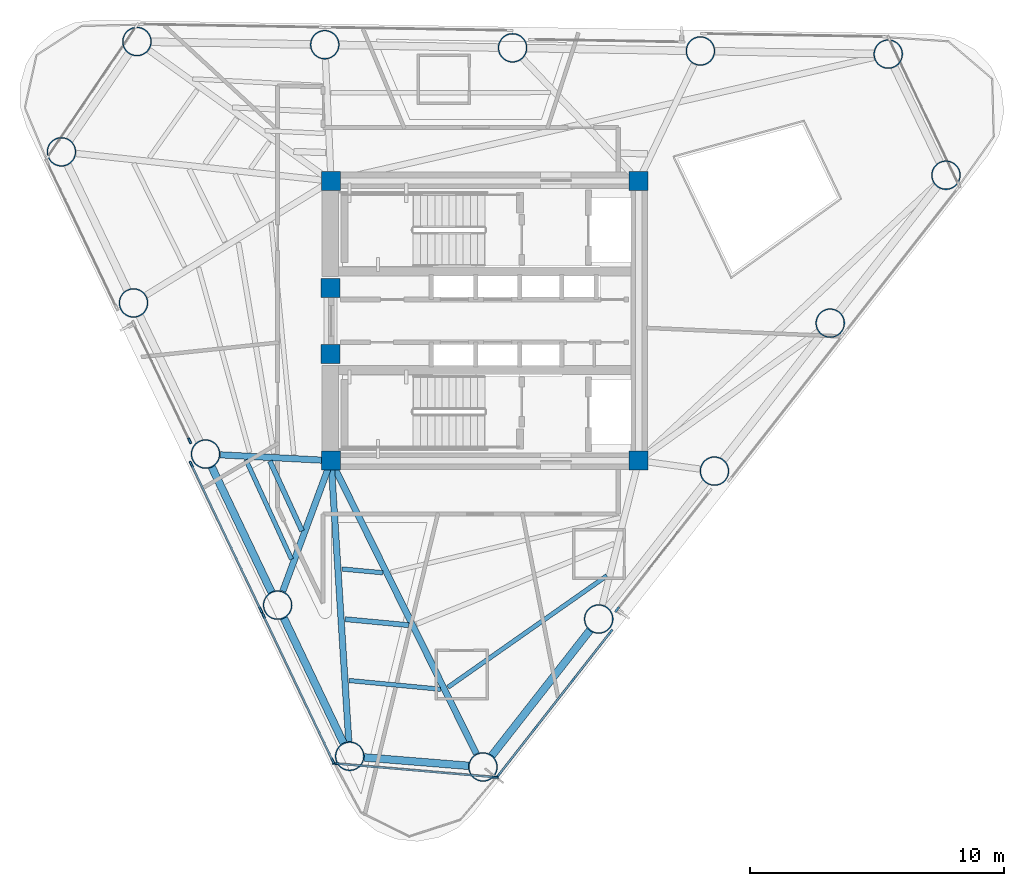
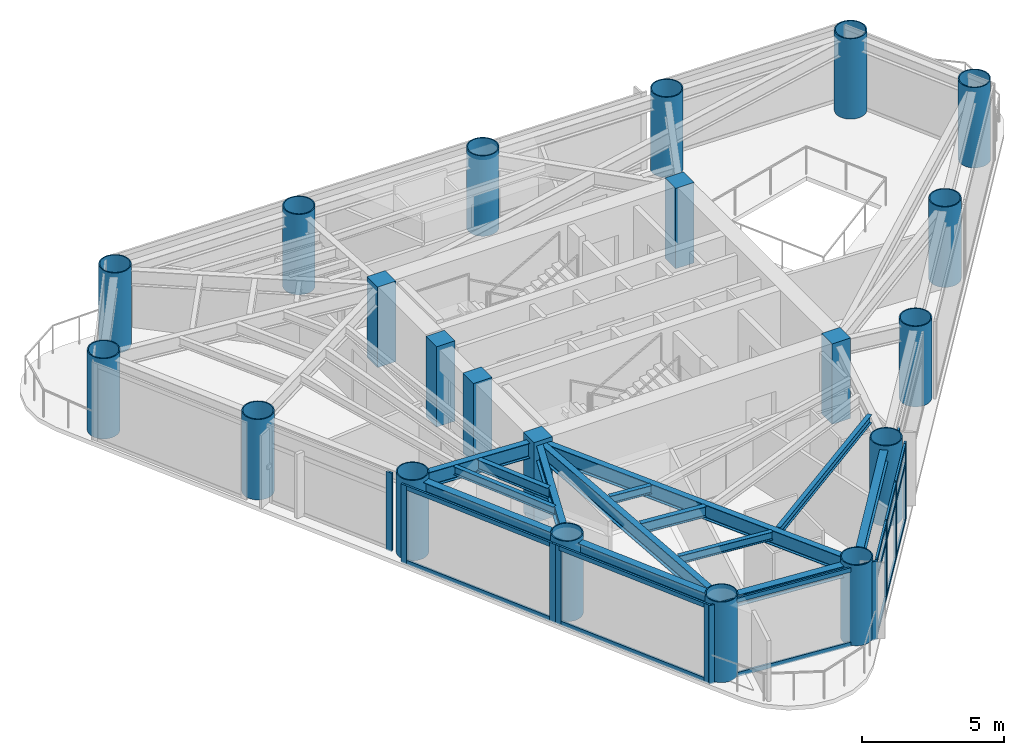
# One storey, part 1 of 9: 27 members, 21 columns, 14 beams, 6 elements without a shape of their own.
"""IFC4 building model written with IfcOpenShell, lengths in metres."""

from ifc_helpers import new_model, si_unit, direction, frame, origin, origin_2d, place, context, subcontext, project, spatial, rectangle, hollow_circle, i_section, extrude, source, transform, mapped, material, layer, layer_set, material_profile, profile_set, type_object, element, aggregate, save


model = new_model("IFC4")

# Units and contexts
model_context = context("Model", 3, precision=1e-05, world=origin(), true_north=direction((0.0, 1.0)))
body_context = subcontext(model_context, "Body", "Model", "MODEL_VIEW")
ifc_project = project(units=[si_unit("LENGTHUNIT", "METRE"), si_unit("AREAUNIT", "SQUARE_METRE"), si_unit("VOLUMEUNIT", "CUBIC_METRE"), si_unit("PLANEANGLEUNIT", "RADIAN"), si_unit("MASSUNIT", "GRAM", prefix="KILO")], contexts=[model_context])

# Site, building, storey
site_placement = place(None, origin())
site = spatial("IfcSite", under=ifc_project, at=site_placement, CompositionType="ELEMENT")
building_placement = place(site_placement, origin())
building = spatial("IfcBuilding", under=site, at=building_placement, Name="Yunling Apex Tower", CompositionType="ELEMENT")
storey_placement = place(building_placement, frame((0.0, 0.0, 212.14990234375)))
storey = spatial("IfcBuildingStorey", under=building, at=storey_placement, Name="L52", CompositionType="ELEMENT", Elevation=212.14990234375)

# Columns
ifc_material_1 = material(Name="Concrete C50", Category="concrete")
ifc_material_profile_1 = material_profile(ifc_material_1, rectangle(XDim=0.75, YDim=0.75, at=origin_2d()))
ifc_profile_set_1 = profile_set([ifc_material_profile_1], Name="Concrete C50")
column_type_1 = type_object("IfcColumnType", Name="PC-SRC-4", PredefinedType="COLUMN", material=ifc_profile_set_1)
shared_shape_1 = source(origin(), body_context, "Body", "SweptSolid", [
    extrude(rectangle(XDim=0.75, YDim=0.75, at=origin_2d()), origin(), (0.0, 0.0, 1.0), 3.4501953125),
])
for number, where, z_axis, x_axis, name in (
    (1, (-6.050048828125, -5.5, 0.0), (0.0, 0.0, 1.0), (1.0, 0.0, 0.0), "L52 Core Spine Column CC-SW"),
    (2, (6.050048828125, -5.5, 0.0), (0.0, 0.0, 1.0), (1.0, 0.0, 0.0), "L52 Core Spine Column CC-SE"),
    (3, (6.050048828125, 5.5, 0.0), (0.0, 0.0, 1.0), (1.0, 0.0, 0.0), "L52 Core Spine Column CC-NE"),
    (4, (-6.050048828125, 5.5, 0.0), (0.0, 0.0, 1.0), (1.0, 0.0, 0.0), "L52 Core Spine Column CC-NW"),
    (5, (-6.074951171875, -1.300048828125, 0.0), (0.0, 0.0, 1.0), (1.0, 0.0, 0.0), "L52 Core West Portal Jamb Column S"),
    (6, (-6.074951171875, 1.300048828125, 0.0), (0.0, 0.0, 1.0), (1.0, 0.0, 0.0), "L52 Core West Portal Jamb Column N"),
):
    element("IfcColumn", number, at=place(storey_placement, frame(where, z_axis=z_axis, x_axis=x_axis)), inside=storey, type_object=column_type_1, Name=name, PredefinedType="COLUMN", context=body_context, shape_type="MappedRepresentation", body=[
        mapped(shared_shape_1, transform((0.0, 0.0, 0.0), scale=1.0)),
    ])
ifc_material_2 = material(Name="Steel Q390GJC", Category="steel")
ifc_material_profile_2 = material_profile(ifc_material_2, hollow_circle(Radius=0.574951171875, WallThickness=0.0419921875, at=origin_2d()))
ifc_profile_set_2 = profile_set([ifc_material_profile_2], Name="Steel Q390GJC")
column_type_2 = type_object("IfcColumnType", Name="MC-CFST-4", PredefinedType="COLUMN", material=ifc_profile_set_2)
shared_shape_2 = source(origin(), body_context, "Body", "SweptSolid", [
    extrude(hollow_circle(Radius=0.574951171875, WallThickness=0.0419921875, at=origin_2d()), origin(), (0.0, 0.0, 1.0), 3.4501953125),
])
for number, where, z_axis, x_axis, name in (
    (7, (-0.073486328125, -17.55322265625, 0.0), (0.0, 0.0, 1.0), (1.0, 0.0, 0.0), "L52 Perimeter CFST Mega-Column P01"),
    (8, (4.480712890625, -11.732177734375, 0.0), (0.0, 0.0, 1.0), (1.0, 0.0, 0.0), "L52 Perimeter CFST Mega-Column P02"),
    (9, (9.03515625, -5.911376953125, 0.0), (0.0, 0.0, 1.0), (1.0, 0.0, 0.0), "L52 Perimeter CFST Mega-Column P03"),
    (10, (13.589599609375, -0.09033203125, 0.0), (0.0, 0.0, 1.0), (1.0, 0.0, 0.0), "L52 Perimeter CFST Mega-Column P04"),
    (11, (18.143798828125, 5.730712890625, 0.0), (0.0, 0.0, 1.0), (1.0, 0.0, 0.0), "L52 Perimeter CFST Mega-Column P05"),
    (12, (15.871826171875, 10.493896484375, 0.0), (0.0, 0.0, 1.0), (1.0, 0.0, 0.0), "L52 Perimeter CFST Mega-Column P06"),
    (13, (8.48193359375, 10.617919921875, 0.0), (0.0, 0.0, 1.0), (1.0, 0.0, 0.0), "L52 Perimeter CFST Mega-Column P07"),
    (14, (1.092041015625, 10.74169921875, 0.0), (0.0, 0.0, 1.0), (1.0, 0.0, 0.0), "L52 Perimeter CFST Mega-Column P08"),
    (15, (-6.2978515625, 10.865478515625, 0.0), (0.0, 0.0, 1.0), (1.0, 0.0, 0.0), "L52 Perimeter CFST Mega-Column P09"),
    (16, (-13.687744140625, 10.989501953125, 0.0), (0.0, 0.0, 1.0), (1.0, 0.0, 0.0), "L52 Perimeter CFST Mega-Column P10"),
    (17, (-16.657958984375, 6.649169921875, 0.0), (0.0, 0.0, 1.0), (1.0, 0.0, 0.0), "L52 Perimeter CFST Mega-Column P11"),
    (18, (-13.822509765625, 0.704345703125, 0.0), (0.0, 0.0, 1.0), (1.0, 0.0, 0.0), "L52 Perimeter CFST Mega-Column P12"),
    (19, (-10.98681640625, -5.240478515625, 0.0), (0.0, 0.0, 1.0), (1.0, 0.0, 0.0), "L52 Perimeter CFST Mega-Column P13"),
    (20, (-8.1513671875, -11.185302734375, 0.0), (0.0, 0.0, 1.0), (1.0, 0.0, 0.0), "L52 Perimeter CFST Mega-Column P14"),
    (21, (-5.31591796875, -17.130126953125, 0.0), (0.0, 0.0, 1.0), (1.0, 0.0, 0.0), "L52 Perimeter CFST Mega-Column P15"),
):
    element("IfcColumn", number, at=place(storey_placement, frame(where, z_axis=z_axis, x_axis=x_axis)), inside=storey, type_object=column_type_2, Name=name, PredefinedType="COLUMN", context=body_context, shape_type="MappedRepresentation", body=[
        mapped(shared_shape_2, transform((0.0, 0.0, 0.0), scale=1.0)),
    ])

# Beams
ifc_material_3 = material(Name="Steel Q355B", Category="steel")
ifc_material_profile_3 = material_profile(ifc_material_3, i_section(OverallWidth=0.300048828125, OverallDepth=0.489990234375, WebThickness=0.010986328125, FlangeThickness=0.01806640625, FilletRadius=0.02197265625, at=origin_2d()))
ifc_profile_set_3 = profile_set([ifc_material_profile_3], Name="Steel Q355B")
beam_type_1 = type_object("IfcBeamType", Name="BP-SPN-2", PredefinedType="SPANDREL", material=ifc_profile_set_3)
shared_shape_3 = source(origin(), body_context, "Body", "SweptSolid", [
    extrude(i_section(OverallWidth=0.300048828125, OverallDepth=0.489990234375, WebThickness=0.010986328125, FlangeThickness=0.01806640625, FilletRadius=0.02197265625, at=origin_2d()), origin(), (0.0, 0.0, 1.0), 6.252685546875),
])
beam_1_placement = place(storey_placement, frame((0.277099609375, -17.10498046875, 3.025146484375), z_axis=(0.616211399259, 0.787580796759, 0.0), x_axis=(-0.787580796759, 0.616211399259, 0.0)))
element("IfcBeam", 22, at=beam_1_placement, inside=storey, type_object=beam_type_1, Name="L52 Perimeter Spandrel Beam 1", PredefinedType="SPANDREL", context=body_context, shape_type="MappedRepresentation", body=[
    mapped(shared_shape_3, transform((0.0, 0.0, 0.0), scale=1.0)),
])
shared_shape_4 = source(origin(), body_context, "Body", "SweptSolid", [
    extrude(i_section(OverallWidth=0.300048828125, OverallDepth=0.489990234375, WebThickness=0.010986328125, FlangeThickness=0.01806640625, FilletRadius=0.02197265625, at=origin_2d()), origin(), (0.0, 0.0, 1.0), 4.121337890625),
])
beam_2_placement = place(storey_placement, frame((-4.74853515625, -17.17578125, 3.025146484375), z_axis=(0.996758900332, -0.080446843376, 0.0), x_axis=(0.080446843376, 0.996758900332, 0.0)))
element("IfcBeam", 23, at=beam_2_placement, inside=storey, type_object=beam_type_1, Name="L52 Perimeter Spandrel Beam 15", PredefinedType="SPANDREL", context=body_context, shape_type="MappedRepresentation", body=[
    mapped(shared_shape_4, transform((0.0, 0.0, 0.0), scale=1.0)),
])
shared_shape_5 = source(origin(), body_context, "Body", "SweptSolid", [
    extrude(i_section(OverallWidth=0.300048828125, OverallDepth=0.489990234375, WebThickness=0.010986328125, FlangeThickness=0.01806640625, FilletRadius=0.02197265625, at=origin_2d()), origin(), (0.0, 0.0, 1.0), 5.4482421875),
])
for number, where, z_axis, x_axis, name in (
    (24, (-10.741943359375, -5.754150390625, 3.025146484375), (0.430538797564, -0.902572071246, 0.0), (0.902572071246, 0.430538797564, 0.0), "L52 Perimeter Spandrel Beam 13"),
    (25, (-7.90625, -11.698974609375, 3.025146484375), (0.430502292287, -0.902589483839, 0.0), (0.902589483839, 0.430502292287, 0.0), "L52 Perimeter Spandrel Beam 14"),
):
    element("IfcBeam", number, at=place(storey_placement, frame(where, z_axis=z_axis, x_axis=x_axis)), inside=storey, type_object=beam_type_1, Name=name, PredefinedType="SPANDREL", context=body_context, shape_type="MappedRepresentation", body=[
        mapped(shared_shape_5, transform((0.0, 0.0, 0.0), scale=1.0)),
    ])
ifc_material_profile_4 = material_profile(ifc_material_3, i_section(OverallWidth=0.25, OverallDepth=0.64990234375, WebThickness=0.011962890625, FlangeThickness=0.02001953125, FilletRadius=0.02392578125, at=origin_2d()))
ifc_profile_set_4 = profile_set([ifc_material_profile_4], Name="Steel Q355B")
beam_type_2 = type_object("IfcBeamType", Name="BG-PRI-4", PredefinedType="USERDEFINED", material=ifc_profile_set_4)
shared_shape_6 = source(origin(), body_context, "Body", "SweptSolid", [
    extrude(i_section(OverallWidth=0.25, OverallDepth=0.64990234375, WebThickness=0.011962890625, FlangeThickness=0.02001953125, FilletRadius=0.02392578125, at=origin_2d()), origin(), (0.0, 0.0, 1.0), 12.79052734375),
])
beam_3_placement = place(storey_placement, frame((-0.33251953125, -17.031005859375, 2.945068359375), z_axis=(-0.444225803272, 0.895914859631, 0.0), x_axis=(-0.895914859631, -0.444225803272, 0.0)))
element("IfcBeam", 26, at=beam_3_placement, inside=storey, type_object=beam_type_2, Name="L52 Radial Primary Girder R01", ObjectType="GIRDER", PredefinedType="USERDEFINED", context=body_context, shape_type="MappedRepresentation", body=[
    mapped(shared_shape_6, transform((0.0, 0.0, 0.0), scale=1.0)),
])
shared_shape_7 = source(origin(), body_context, "Body", "SweptSolid", [
    extrude(i_section(OverallWidth=0.25, OverallDepth=0.64990234375, WebThickness=0.011962890625, FlangeThickness=0.02001953125, FilletRadius=0.02392578125, at=origin_2d()), origin(), (0.0, 0.0, 1.0), 4.28076171875),
])
beam_4_placement = place(storey_placement, frame((-10.40478515625, -5.27099609375, 2.945068359375), z_axis=(0.998619561788, -0.052525906134, 0.0), x_axis=(0.052525906134, 0.998619561788, 0.0)))
element("IfcBeam", 27, at=beam_4_placement, inside=storey, type_object=beam_type_2, Name="L52 Radial Primary Girder R13", ObjectType="GIRDER", PredefinedType="USERDEFINED", context=body_context, shape_type="MappedRepresentation", body=[
    mapped(shared_shape_7, transform((0.0, 0.0, 0.0), scale=1.0)),
])
shared_shape_8 = source(origin(), body_context, "Body", "SweptSolid", [
    extrude(i_section(OverallWidth=0.25, OverallDepth=0.64990234375, WebThickness=0.011962890625, FlangeThickness=0.02001953125, FilletRadius=0.02392578125, at=origin_2d()), origin(), (0.0, 0.0, 1.0), 5.398193359375),
])
beam_5_placement = place(storey_placement, frame((-7.94921875, -10.638427734375, 2.945068359375), z_axis=(0.346698581513, 0.937976595431, 0.0), x_axis=(-0.937976595431, 0.346698581513, 0.0)))
element("IfcBeam", 28, at=beam_5_placement, inside=storey, type_object=beam_type_2, Name="L52 Radial Primary Girder R14", ObjectType="GIRDER", PredefinedType="USERDEFINED", context=body_context, shape_type="MappedRepresentation", body=[
    mapped(shared_shape_8, transform((0.0, 0.0, 0.0), scale=1.0)),
])
shared_shape_9 = source(origin(), body_context, "Body", "SweptSolid", [
    extrude(i_section(OverallWidth=0.25, OverallDepth=0.64990234375, WebThickness=0.011962890625, FlangeThickness=0.02001953125, FilletRadius=0.02392578125, at=origin_2d()), origin(), (0.0, 0.0, 1.0), 10.990234375),
])
beam_6_placement = place(storey_placement, frame((-5.3525390625, -16.54833984375, 2.945068359375), z_axis=(-0.062999232086, 0.998013575437, 0.0), x_axis=(-0.998013575437, -0.062999232086, 0.0)))
element("IfcBeam", 29, at=beam_6_placement, inside=storey, type_object=beam_type_2, Name="L52 Radial Primary Girder R15", ObjectType="GIRDER", PredefinedType="USERDEFINED", context=body_context, shape_type="MappedRepresentation", body=[
    mapped(shared_shape_9, transform((0.0, 0.0, 0.0), scale=1.0)),
])
ifc_material_profile_5 = material_profile(ifc_material_3, i_section(OverallWidth=0.175048828125, OverallDepth=0.35009765625, WebThickness=0.007080078125, FlangeThickness=0.010986328125, FilletRadius=0.013916015625, at=origin_2d()))
ifc_profile_set_5 = profile_set([ifc_material_profile_5], Name="Steel Q355B")
beam_type_3 = type_object("IfcBeamType", Name="BJ-JST-1", PredefinedType="JOIST", material=ifc_profile_set_5)
shared_shape_10 = source(origin(), body_context, "Body", "SweptSolid", [
    extrude(i_section(OverallWidth=0.175048828125, OverallDepth=0.35009765625, WebThickness=0.007080078125, FlangeThickness=0.010986328125, FilletRadius=0.013916015625, at=origin_2d()), origin(), (0.0, 0.0, 1.0), 7.639892578125),
])
beam_7_placement = place(storey_placement, frame((-1.45166015625, -14.41796875, 3.09521484375), z_axis=(0.818522685397, 0.574474206113, 0.0), x_axis=(-0.574474206113, 0.818522685397, 0.0)))
element("IfcBeam", 30, at=beam_7_placement, inside=storey, type_object=beam_type_3, Name="L52 Composite Floor Joist BJ1-1", PredefinedType="JOIST", context=body_context, shape_type="MappedRepresentation", body=[
    mapped(shared_shape_10, transform((0.0, 0.0, 0.0), scale=1.0)),
])
ifc_material_profile_6 = material_profile(ifc_material_3, i_section(OverallWidth=0.199951171875, OverallDepth=0.449951171875, WebThickness=0.009033203125, FlangeThickness=0.013916015625, FilletRadius=0.01806640625, at=origin_2d()))
ifc_profile_set_6 = profile_set([ifc_material_profile_6], Name="Steel Q355B")
beam_type_4 = type_object("IfcBeamType", Name="BS-SEC-3", PredefinedType="BEAM", material=ifc_profile_set_6)
shared_shape_11 = source(origin(), body_context, "Body", "SweptSolid", [
    extrude(i_section(OverallWidth=0.199951171875, OverallDepth=0.449951171875, WebThickness=0.009033203125, FlangeThickness=0.013916015625, FilletRadius=0.01806640625, at=origin_2d()), origin(), (0.0, 0.0, 1.0), 3.0263671875),
])
beam_8_placement = place(storey_placement, frame((-8.456787109375, -5.515380859375, 3.045166015625), z_axis=(0.417707186738, -0.908581700315, 0.0), x_axis=(0.908581700315, 0.417707186738, 0.0)))
element("IfcBeam", 31, at=beam_8_placement, inside=storey, type_object=beam_type_4, Name="L52 Composite Floor Beam BS-13", PredefinedType="BEAM", context=body_context, shape_type="MappedRepresentation", body=[
    mapped(shared_shape_11, transform((0.0, 0.0, 0.0), scale=1.0)),
])
shared_shape_12 = source(origin(), body_context, "Body", "SweptSolid", [
    extrude(i_section(OverallWidth=0.175048828125, OverallDepth=0.35009765625, WebThickness=0.007080078125, FlangeThickness=0.010986328125, FilletRadius=0.013916015625, at=origin_2d()), origin(), (0.0, 0.0, 1.0), 4.3046875),
])
beam_9_placement = place(storey_placement, frame((-9.397705078125, -5.466064453125, 3.09521484375), z_axis=(0.416693768596, -0.909046920248, 0.0), x_axis=(0.909046920248, 0.416693768596, 0.0)))
element("IfcBeam", 32, at=beam_9_placement, inside=storey, type_object=beam_type_3, Name="L52 Composite Floor Joist BJ1-13", PredefinedType="JOIST", context=body_context, shape_type="MappedRepresentation", body=[
    mapped(shared_shape_12, transform((0.0, 0.0, 0.0), scale=1.0)),
])
shared_shape_13 = source(origin(), body_context, "Body", "SweptSolid", [
    extrude(i_section(OverallWidth=0.199951171875, OverallDepth=0.449951171875, WebThickness=0.009033203125, FlangeThickness=0.013916015625, FilletRadius=0.01806640625, at=origin_2d()), origin(), (0.0, 0.0, 1.0), 2.51708984375),
])
beam_10_placement = place(storey_placement, frame((-5.497802734375, -11.7373046875, 3.045166015625), z_axis=(0.995573168634, -0.093989711653, 0.0), x_axis=(0.093989711653, 0.995573168634, 0.0)))
element("IfcBeam", 33, at=beam_10_placement, inside=storey, type_object=beam_type_4, Name="L52 Composite Floor Beam BS-15", PredefinedType="BEAM", context=body_context, shape_type="MappedRepresentation", body=[
    mapped(shared_shape_13, transform((0.0, 0.0, 0.0), scale=1.0)),
])
shared_shape_14 = source(origin(), body_context, "Body", "SweptSolid", [
    extrude(i_section(OverallWidth=0.175048828125, OverallDepth=0.35009765625, WebThickness=0.007080078125, FlangeThickness=0.010986328125, FilletRadius=0.013916015625, at=origin_2d()), origin(), (0.0, 0.0, 1.0), 3.620361328125),
])
beam_11_placement = place(storey_placement, frame((-5.345703125, -14.150390625, 3.09521484375), z_axis=(0.99546937037, -0.095082767391, 0.0), x_axis=(0.095082767391, 0.99546937037, 0.0)))
element("IfcBeam", 34, at=beam_11_placement, inside=storey, type_object=beam_type_3, Name="L52 Composite Floor Joist BJ1-15", PredefinedType="JOIST", context=body_context, shape_type="MappedRepresentation", body=[
    mapped(shared_shape_14, transform((0.0, 0.0, 0.0), scale=1.0)),
])
shared_shape_15 = source(origin(), body_context, "Body", "SweptSolid", [
    extrude(i_section(OverallWidth=0.175048828125, OverallDepth=0.35009765625, WebThickness=0.007080078125, FlangeThickness=0.010986328125, FilletRadius=0.013916015625, at=origin_2d()), origin(), (0.0, 0.0, 1.0), 1.61474609375),
])
beam_12_placement = place(storey_placement, frame((-5.62255859375, -9.7626953125, 3.09521484375), z_axis=(0.995751976421, -0.092076063413, 0.0), x_axis=(0.092076063413, 0.995751976421, 0.0)))
element("IfcBeam", 35, at=beam_12_placement, inside=storey, type_object=beam_type_3, Name="L52 Composite Floor Joist BJ3-15", PredefinedType="JOIST", context=body_context, shape_type="MappedRepresentation", body=[
    mapped(shared_shape_15, transform((0.0, 0.0, 0.0), scale=1.0)),
])

# Curtain wall, members
ifc_material_4 = material(Name="Bronze anodised aluminium", Category="aluminium")
ifc_layer = layer(ifc_material_4, 0.239990234375)
ifc_layer_set = layer_set([ifc_layer], Name="Bronze anodised aluminium")
curtain_wall_type = type_object("IfcCurtainWallType", Name="CW-SYS-3", PredefinedType="NOTDEFINED", material=ifc_layer_set)
curtain_wall_1_placement = place(storey_placement, origin())
curtain_wall_1 = element("IfcCurtainWall", 36, at=curtain_wall_1_placement, inside=storey, type_object=curtain_wall_type, Name="CW-L52-F1-B1", PredefinedType="NOTDEFINED")
ifc_material_profile_7 = material_profile(ifc_material_4, rectangle(XDim=0.080078125, YDim=0.239990234375, at=origin_2d()))
ifc_profile_set_7 = profile_set([ifc_material_profile_7], Name="Bronze anodised aluminium")
member_type_1 = type_object("IfcMemberType", Name="CW-MUL-3", PredefinedType="MULLION", material=ifc_profile_set_7)
shared_shape_16 = source(origin(), body_context, "Body", "SweptSolid", [
    extrude(rectangle(XDim=0.080078125, YDim=0.239990234375, at=origin_2d()), origin(), (0.0, 0.0, 1.0), 3.369873046875),
])
member_1_placement = place(storey_placement, frame((0.535888671875, -17.877685546875, -0.0498046875), z_axis=(0.0, 0.0, 1.0), x_axis=(-0.787589332433, 0.616200489644, 0.0)))
member_1 = element("IfcMember", 37, at=member_1_placement, type_object=member_type_1, Name="CW-SYS-3 mullion 1", PredefinedType="MULLION", context=body_context, shape_type="MappedRepresentation", body=[
    mapped(shared_shape_16, transform((0.0, 0.0, 0.0), scale=1.0)),
])
member_2_placement = place(storey_placement, frame((1.99658203125, -16.010986328125, -0.0498046875), z_axis=(0.0, 0.0, 1.0), x_axis=(-0.787589332433, 0.616200489644, 0.0)))
member_2 = element("IfcMember", 38, at=member_2_placement, type_object=member_type_1, Name="CW-SYS-3 mullion 2", PredefinedType="MULLION", context=body_context, shape_type="MappedRepresentation", body=[
    mapped(shared_shape_16, transform((0.0, 0.0, 0.0), scale=1.0)),
])
member_3_placement = place(storey_placement, frame((3.481689453125, -14.112548828125, -0.0498046875), z_axis=(0.0, 0.0, 1.0), x_axis=(-0.787589332433, 0.616200489644, 0.0)))
member_3 = element("IfcMember", 39, at=member_3_placement, type_object=member_type_1, Name="CW-SYS-3 mullion 3", PredefinedType="MULLION", context=body_context, shape_type="MappedRepresentation", body=[
    mapped(shared_shape_16, transform((0.0, 0.0, 0.0), scale=1.0)),
])
member_4_placement = place(storey_placement, frame((4.9423828125, -12.24560546875, -0.0498046875), z_axis=(0.0, 0.0, 1.0), x_axis=(-0.787589332433, 0.616200489644, 0.0)))
member_4 = element("IfcMember", 40, at=member_4_placement, type_object=member_type_1, Name="CW-SYS-3 mullion 4", PredefinedType="MULLION", context=body_context, shape_type="MappedRepresentation", body=[
    mapped(shared_shape_16, transform((0.0, 0.0, 0.0), scale=1.0)),
])

# Curtain wall, member
curtain_wall_2_placement = place(storey_placement, origin())
curtain_wall_2 = element("IfcCurtainWall", 41, at=curtain_wall_2_placement, inside=storey, type_object=curtain_wall_type, Name="CW-L52-F1-B2", PredefinedType="NOTDEFINED")
member_5_placement = place(storey_placement, frame((5.20458984375, -11.35888671875, -0.0498046875), z_axis=(0.0, 0.0, 1.0), x_axis=(-0.787576499109, 0.616216892053, 0.0)))
member_5 = element("IfcMember", 42, at=member_5_placement, type_object=member_type_1, Name="CW-SYS-3 mullion 1", PredefinedType="MULLION", context=body_context, shape_type="MappedRepresentation", body=[
    mapped(shared_shape_16, transform((0.0, 0.0, 0.0), scale=1.0)),
])
aggregate(curtain_wall_2, [member_5])

curtain_wall_3_placement = place(storey_placement, origin())
curtain_wall_3 = element("IfcCurtainWall", 43, at=curtain_wall_3_placement, inside=storey, type_object=curtain_wall_type, Name="CW-L52-F3-B2", PredefinedType="NOTDEFINED")
member_6_placement = place(storey_placement, frame((-11.6123046875, -4.718994140625, -0.0498046875), z_axis=(0.0, 0.0, 1.0), x_axis=(0.902583049107, 0.430515783062, 0.0)))
member_6 = element("IfcMember", 44, at=member_6_placement, type_object=member_type_1, Name="CW-SYS-3 mullion 2", PredefinedType="MULLION", context=body_context, shape_type="MappedRepresentation", body=[
    mapped(shared_shape_16, transform((0.0, 0.0, 0.0), scale=1.0)),
])
aggregate(curtain_wall_3, [member_6])

# Curtain wall, members
curtain_wall_4_placement = place(storey_placement, origin())
curtain_wall_4 = element("IfcCurtainWall", 45, at=curtain_wall_4_placement, inside=storey, type_object=curtain_wall_type, Name="CW-L52-F3-B3", PredefinedType="NOTDEFINED")
member_7_placement = place(storey_placement, frame((-11.549072265625, -5.6416015625, -0.0498046875), z_axis=(0.0, 0.0, 1.0), x_axis=(0.902588239851, 0.430504900417, 0.0)))
member_7 = element("IfcMember", 46, at=member_7_placement, type_object=member_type_1, Name="CW-SYS-3 mullion 1", PredefinedType="MULLION", context=body_context, shape_type="MappedRepresentation", body=[
    mapped(shared_shape_16, transform((0.0, 0.0, 0.0), scale=1.0)),
])
member_8_placement = place(storey_placement, frame((-8.81689453125, -11.36962890625, -0.0498046875), z_axis=(0.0, 0.0, 1.0), x_axis=(0.902588239851, 0.430504900417, 0.0)))
member_8 = element("IfcMember", 47, at=member_8_placement, type_object=member_type_1, Name="CW-SYS-3 mullion 2", PredefinedType="MULLION", context=body_context, shape_type="MappedRepresentation", body=[
    mapped(shared_shape_16, transform((0.0, 0.0, 0.0), scale=1.0)),
])

curtain_wall_5_placement = place(storey_placement, origin())
curtain_wall_5 = element("IfcCurtainWall", 48, at=curtain_wall_5_placement, inside=storey, type_object=curtain_wall_type, Name="CW-L52-F3-B4", PredefinedType="NOTDEFINED")
member_9_placement = place(storey_placement, frame((-8.71337890625, -11.586181640625, -0.0498046875), z_axis=(0.0, 0.0, 1.0), x_axis=(0.902582193367, 0.430517577128, 0.0)))
member_9 = element("IfcMember", 49, at=member_9_placement, type_object=member_type_1, Name="CW-SYS-3 mullion 1", PredefinedType="MULLION", context=body_context, shape_type="MappedRepresentation", body=[
    mapped(shared_shape_16, transform((0.0, 0.0, 0.0), scale=1.0)),
])
member_10_placement = place(storey_placement, frame((-5.981201171875, -17.314453125, -0.0498046875), z_axis=(0.0, 0.0, 1.0), x_axis=(0.902582193367, 0.430517577128, 0.0)))
member_10 = element("IfcMember", 50, at=member_10_placement, type_object=member_type_1, Name="CW-SYS-3 mullion 2", PredefinedType="MULLION", context=body_context, shape_type="MappedRepresentation", body=[
    mapped(shared_shape_16, transform((0.0, 0.0, 0.0), scale=1.0)),
])

curtain_wall_6_placement = place(storey_placement, origin())
curtain_wall_6 = element("IfcCurtainWall", 51, at=curtain_wall_6_placement, inside=storey, type_object=curtain_wall_type, Name="CW-L52-CRN3", PredefinedType="NOTDEFINED")
member_11_placement = place(storey_placement, frame((-5.87158203125, -17.417724609375, -0.0498046875), z_axis=(0.0, 0.0, 1.0), x_axis=(0.085517150026, 0.996336698637, 0.0)))
member_11 = element("IfcMember", 52, at=member_11_placement, type_object=member_type_1, Name="CW-SYS-3 mullion 1", PredefinedType="MULLION", context=body_context, shape_type="MappedRepresentation", body=[
    mapped(shared_shape_16, transform((0.0, 0.0, 0.0), scale=1.0)),
])
member_12_placement = place(storey_placement, frame((0.406494140625, -17.95654296875, -0.0498046875), z_axis=(0.0, 0.0, 1.0), x_axis=(0.085517150026, 0.996336698637, 0.0)))
member_12 = element("IfcMember", 53, at=member_12_placement, type_object=member_type_1, Name="CW-SYS-3 mullion 2", PredefinedType="MULLION", context=body_context, shape_type="MappedRepresentation", body=[
    mapped(shared_shape_16, transform((0.0, 0.0, 0.0), scale=1.0)),
])

# Member
ifc_material_profile_8 = material_profile(ifc_material_4, rectangle(XDim=0.080078125, YDim=0.18505859375, at=origin_2d()))
ifc_profile_set_8 = profile_set([ifc_material_profile_8], Name="Bronze anodised aluminium")
member_type_2 = type_object("IfcMemberType", Name="CW-TRN-3", PredefinedType="USERDEFINED", material=ifc_profile_set_8)
shared_shape_17 = source(origin(), body_context, "Body", "SweptSolid", [
    extrude(rectangle(XDim=0.080078125, YDim=0.18505859375, at=origin_2d()), origin(), (0.0, 0.0, 1.0), 2.29833984375),
])
member_13_placement = place(storey_placement, frame((0.55810546875, -17.849365234375, 0.0400390625), z_axis=(0.616225194125, 0.787570003317, 0.0), x_axis=(-0.787570003317, 0.616225194125, 0.0)))
member_13 = element("IfcMember", 54, at=member_13_placement, type_object=member_type_2, Name="CW-SYS-3 transom 1.1", ObjectType="TRANSOM", PredefinedType="USERDEFINED", context=body_context, shape_type="MappedRepresentation", body=[
    mapped(shared_shape_17, transform((0.0, 0.0, 0.0), scale=1.0)),
])

member_14_placement = place(storey_placement, frame((0.55810546875, -17.849365234375, 2.4853515625), z_axis=(0.616225194125, 0.787570003317, 0.0), x_axis=(-0.787570003317, 0.616225194125, 0.0)))
member_14 = element("IfcMember", 55, at=member_14_placement, type_object=member_type_2, Name="CW-SYS-3 transom 1.2", ObjectType="TRANSOM", PredefinedType="USERDEFINED", context=body_context, shape_type="MappedRepresentation", body=[
    mapped(shared_shape_17, transform((0.0, 0.0, 0.0), scale=1.0)),
])

member_15_placement = place(storey_placement, frame((0.55810546875, -17.849365234375, 3.22998046875), z_axis=(0.616225194125, 0.787570003317, 0.0), x_axis=(-0.787570003317, 0.616225194125, 0.0)))
member_15 = element("IfcMember", 56, at=member_15_placement, type_object=member_type_2, Name="CW-SYS-3 transom 1.3", ObjectType="TRANSOM", PredefinedType="USERDEFINED", context=body_context, shape_type="MappedRepresentation", body=[
    mapped(shared_shape_17, transform((0.0, 0.0, 0.0), scale=1.0)),
])

member_16_placement = place(storey_placement, frame((3.50390625, -14.084228515625, 0.0400390625), z_axis=(0.616225194125, 0.787570003317, 0.0), x_axis=(-0.787570003317, 0.616225194125, 0.0)))
member_16 = element("IfcMember", 57, at=member_16_placement, type_object=member_type_2, Name="CW-SYS-3 transom 3.1", ObjectType="TRANSOM", PredefinedType="USERDEFINED", context=body_context, shape_type="MappedRepresentation", body=[
    mapped(shared_shape_17, transform((0.0, 0.0, 0.0), scale=1.0)),
])

member_17_placement = place(storey_placement, frame((3.50390625, -14.084228515625, 2.4853515625), z_axis=(0.616225194125, 0.787570003317, 0.0), x_axis=(-0.787570003317, 0.616225194125, 0.0)))
member_17 = element("IfcMember", 58, at=member_17_placement, type_object=member_type_2, Name="CW-SYS-3 transom 3.2", ObjectType="TRANSOM", PredefinedType="USERDEFINED", context=body_context, shape_type="MappedRepresentation", body=[
    mapped(shared_shape_17, transform((0.0, 0.0, 0.0), scale=1.0)),
])

member_18_placement = place(storey_placement, frame((3.50390625, -14.084228515625, 3.22998046875), z_axis=(0.616225194125, 0.787570003317, 0.0), x_axis=(-0.787570003317, 0.616225194125, 0.0)))
member_18 = element("IfcMember", 59, at=member_18_placement, type_object=member_type_2, Name="CW-SYS-3 transom 3.3", ObjectType="TRANSOM", PredefinedType="USERDEFINED", context=body_context, shape_type="MappedRepresentation", body=[
    mapped(shared_shape_17, transform((0.0, 0.0, 0.0), scale=1.0)),
])

shared_shape_18 = source(origin(), body_context, "Body", "SweptSolid", [
    extrude(rectangle(XDim=0.080078125, YDim=0.18505859375, at=origin_2d()), origin(), (0.0, 0.0, 1.0), 2.338134765625),
])
member_19_placement = place(storey_placement, frame((2.018798828125, -15.982421875, 0.0400390625), z_axis=(0.61616466275, 0.787617361654, 0.0), x_axis=(-0.787617361654, 0.61616466275, 0.0)))
member_19 = element("IfcMember", 60, at=member_19_placement, type_object=member_type_2, Name="CW-SYS-3 transom 2.1", ObjectType="TRANSOM", PredefinedType="USERDEFINED", context=body_context, shape_type="MappedRepresentation", body=[
    mapped(shared_shape_18, transform((0.0, 0.0, 0.0), scale=1.0)),
])

member_20_placement = place(storey_placement, frame((2.018798828125, -15.982421875, 2.4853515625), z_axis=(0.61616466275, 0.787617361654, 0.0), x_axis=(-0.787617361654, 0.61616466275, 0.0)))
member_20 = element("IfcMember", 61, at=member_20_placement, type_object=member_type_2, Name="CW-SYS-3 transom 2.2", ObjectType="TRANSOM", PredefinedType="USERDEFINED", context=body_context, shape_type="MappedRepresentation", body=[
    mapped(shared_shape_18, transform((0.0, 0.0, 0.0), scale=1.0)),
])

member_21_placement = place(storey_placement, frame((2.018798828125, -15.982421875, 3.22998046875), z_axis=(0.61616466275, 0.787617361654, 0.0), x_axis=(-0.787617361654, 0.61616466275, 0.0)))
member_21 = element("IfcMember", 62, at=member_21_placement, type_object=member_type_2, Name="CW-SYS-3 transom 2.3", ObjectType="TRANSOM", PredefinedType="USERDEFINED", context=body_context, shape_type="MappedRepresentation", body=[
    mapped(shared_shape_18, transform((0.0, 0.0, 0.0), scale=1.0)),
])

aggregate(curtain_wall_1, [member_1, member_2, member_3, member_4, member_13, member_14, member_15, member_19, member_20, member_21, member_16, member_17, member_18])

shared_shape_19 = source(origin(), body_context, "Body", "SweptSolid", [
    extrude(rectangle(XDim=0.080078125, YDim=0.18505859375, at=origin_2d()), origin(), (0.0, 0.0, 1.0), 6.2744140625),
])
member_22_placement = place(storey_placement, frame((-11.533447265625, -5.674072265625, 0.0400390625), z_axis=(0.430513491492, -0.902584142141, 0.0), x_axis=(0.902584142141, 0.430513491492, 0.0)))
member_22 = element("IfcMember", 63, at=member_22_placement, type_object=member_type_2, Name="CW-SYS-3 transom 1.1", ObjectType="TRANSOM", PredefinedType="USERDEFINED", context=body_context, shape_type="MappedRepresentation", body=[
    mapped(shared_shape_19, transform((0.0, 0.0, 0.0), scale=1.0)),
])

member_23_placement = place(storey_placement, frame((-11.533447265625, -5.674072265625, 3.22998046875), z_axis=(0.430513491492, -0.902584142141, 0.0), x_axis=(0.902584142141, 0.430513491492, 0.0)))
member_23 = element("IfcMember", 64, at=member_23_placement, type_object=member_type_2, Name="CW-SYS-3 transom 1.2", ObjectType="TRANSOM", PredefinedType="USERDEFINED", context=body_context, shape_type="MappedRepresentation", body=[
    mapped(shared_shape_19, transform((0.0, 0.0, 0.0), scale=1.0)),
])

aggregate(curtain_wall_4, [member_7, member_8, member_22, member_23])

member_24_placement = place(storey_placement, frame((-8.697998046875, -11.618896484375, 0.0400390625), z_axis=(0.430513491492, -0.902584142141, 0.0), x_axis=(0.902584142141, 0.430513491492, 0.0)))
member_24 = element("IfcMember", 65, at=member_24_placement, type_object=member_type_2, Name="CW-SYS-3 transom 1.1", ObjectType="TRANSOM", PredefinedType="USERDEFINED", context=body_context, shape_type="MappedRepresentation", body=[
    mapped(shared_shape_19, transform((0.0, 0.0, 0.0), scale=1.0)),
])

member_25_placement = place(storey_placement, frame((-8.697998046875, -11.618896484375, 3.22998046875), z_axis=(0.430513491492, -0.902584142141, 0.0), x_axis=(0.902584142141, 0.430513491492, 0.0)))
member_25 = element("IfcMember", 66, at=member_25_placement, type_object=member_type_2, Name="CW-SYS-3 transom 1.2", ObjectType="TRANSOM", PredefinedType="USERDEFINED", context=body_context, shape_type="MappedRepresentation", body=[
    mapped(shared_shape_19, transform((0.0, 0.0, 0.0), scale=1.0)),
])

aggregate(curtain_wall_5, [member_9, member_10, member_24, member_25])

shared_shape_20 = source(origin(), body_context, "Body", "SweptSolid", [
    extrude(rectangle(XDim=0.080078125, YDim=0.18505859375, at=origin_2d()), origin(), (0.0, 0.0, 1.0), 6.22900390625),
])
member_26_placement = place(storey_placement, frame((-5.835693359375, -17.420654296875, 0.0400390625), z_axis=(0.996336446565, -0.085520086795, 0.0), x_axis=(0.085520086795, 0.996336446565, 0.0)))
member_26 = element("IfcMember", 67, at=member_26_placement, type_object=member_type_2, Name="CW-SYS-3 transom 1.1", ObjectType="TRANSOM", PredefinedType="USERDEFINED", context=body_context, shape_type="MappedRepresentation", body=[
    mapped(shared_shape_20, transform((0.0, 0.0, 0.0), scale=1.0)),
])

member_27_placement = place(storey_placement, frame((-5.835693359375, -17.420654296875, 3.22998046875), z_axis=(0.996336446565, -0.085520086795, 0.0), x_axis=(0.085520086795, 0.996336446565, 0.0)))
member_27 = element("IfcMember", 68, at=member_27_placement, type_object=member_type_2, Name="CW-SYS-3 transom 1.2", ObjectType="TRANSOM", PredefinedType="USERDEFINED", context=body_context, shape_type="MappedRepresentation", body=[
    mapped(shared_shape_20, transform((0.0, 0.0, 0.0), scale=1.0)),
])

aggregate(curtain_wall_6, [member_11, member_12, member_26, member_27])

save(model, "model.ifc")
